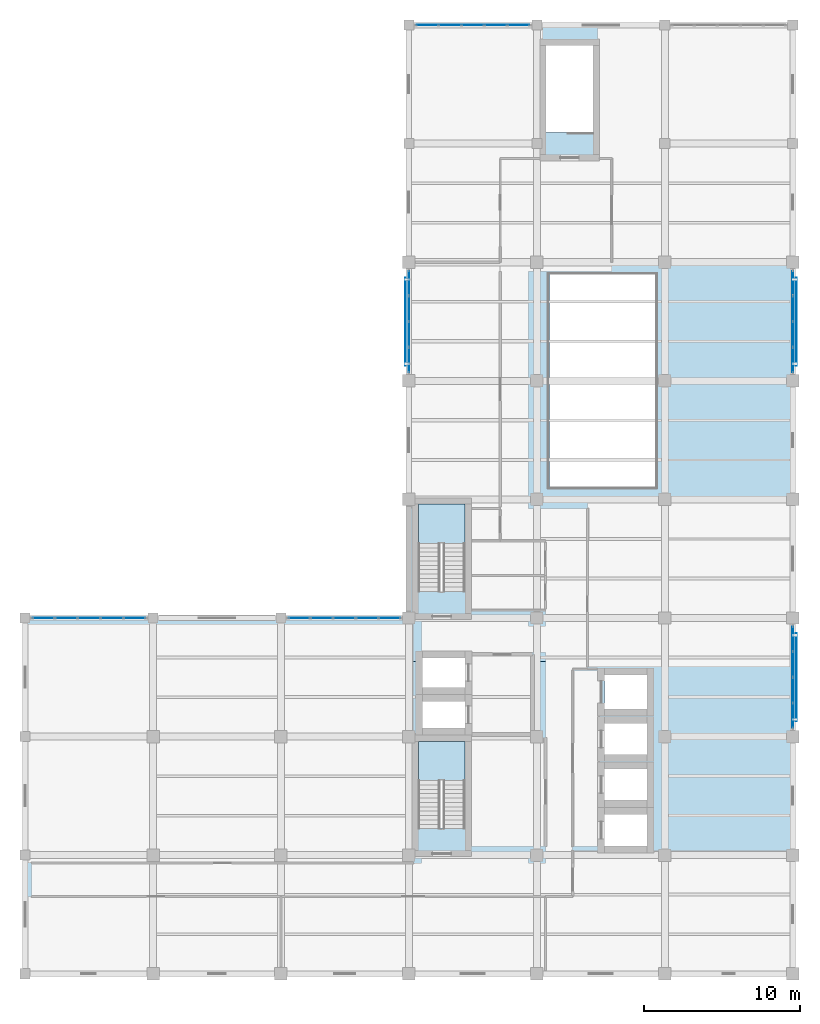
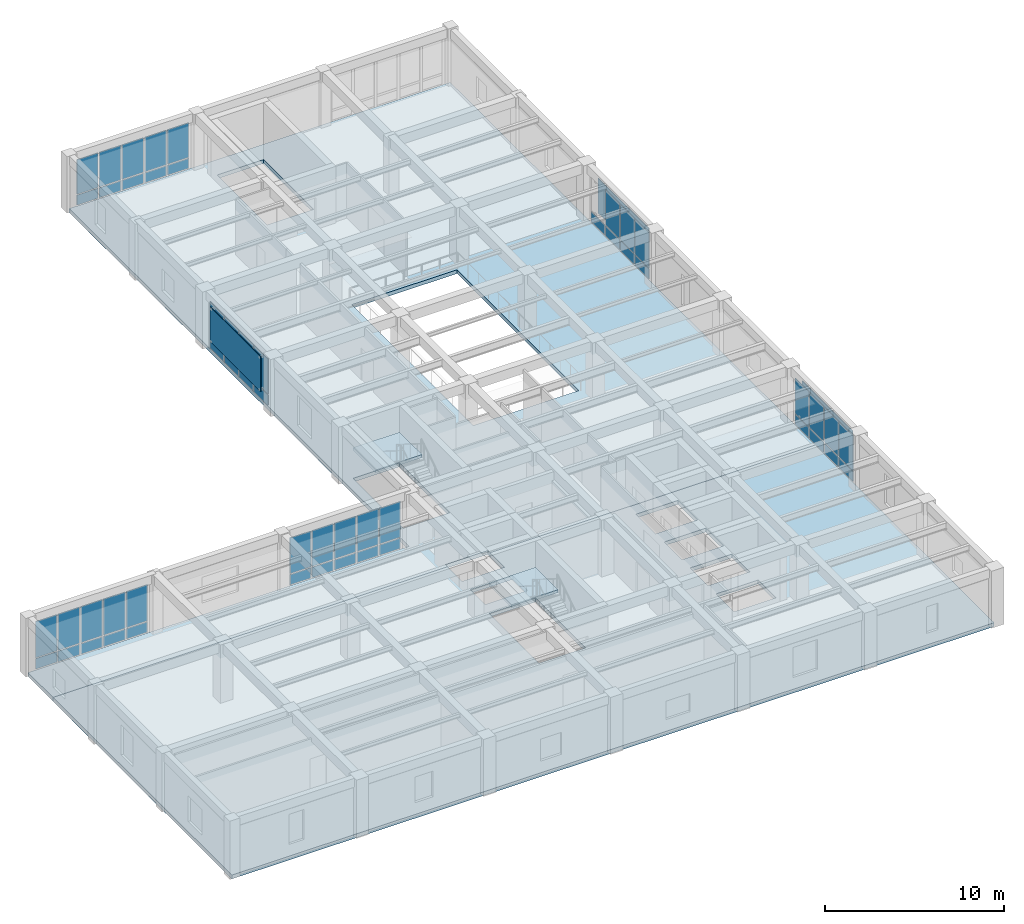
# One storey, part 6 of 15: 56 plates, 4 slabs, 8 elements without a shape of their own.
"""IFC4 building model written with IfcOpenShell, lengths in metres."""

from ifc_helpers import new_model, si_unit, direction, frame, origin, origin_2d, place, context, subcontext, project, spatial, polyline, rectangle, outline, extrude, material, layer, layer_set, type_object, element, aggregate, save


model = new_model("IFC4")

# Units and contexts
model_context = context("Model", 3, precision=1e-05, world=origin(), true_north=direction((0.0, 1.0)))
body_context = subcontext(model_context, "Body", "Model", "MODEL_VIEW")
ifc_project = project(units=[si_unit("LENGTHUNIT", "METRE"), si_unit("AREAUNIT", "SQUARE_METRE"), si_unit("VOLUMEUNIT", "CUBIC_METRE"), si_unit("PLANEANGLEUNIT", "RADIAN"), si_unit("MASSUNIT", "GRAM", prefix="KILO")], contexts=[model_context])

# Site, building, storey
site_placement = place(None, origin())
site = spatial("IfcSite", under=ifc_project, at=site_placement, CompositionType="ELEMENT")
building_placement = place(site_placement, origin())
building = spatial("IfcBuilding", under=site, at=building_placement, Name="Qandaris Square Conservatory and Botanical Centre", CompositionType="ELEMENT")
storey_placement = place(building_placement, frame((0.0, 0.0, 32.39990234375)))
storey = spatial("IfcBuildingStorey", under=building, at=storey_placement, Name="L07", CompositionType="ELEMENT", Elevation=32.39990234375)

# Curtain wall, plates
ifc_material_1 = material(Name="Anodised Aluminium", Category="aluminium")
curtain_wall_type_1 = type_object("IfcCurtainWallType", Name="Unitised Curtain Wall CW-4-660x329", PredefinedType="USERDEFINED", material=ifc_material_1)
curtain_wall_1_placement = place(storey_placement, origin())
curtain_wall_1 = element("IfcCurtainWall", 1, at=curtain_wall_1_placement, inside=storey, type_object=curtain_wall_type_1, Name="Curtain Wall CW-TWR-L07-2-3", ObjectType="GLAZED CURTAIN WALL", PredefinedType="USERDEFINED")
ifc_material_2 = material(Name="Tempered Low-E Glass", Category="glass")
ifc_layer_1 = layer(ifc_material_2, 0.035888671875)
ifc_layer_set_1 = layer_set([ifc_layer_1], Name="Tempered Low-E Glass")
plate_type_1 = type_object("IfcPlateType", Name="Double-Glazed Solar Control Vision Unit 36mm", PredefinedType="CURTAIN_PANEL", material=ifc_layer_set_1)
plate_1_placement = place(storey_placement, frame((163.800048828125, 33.141357421875, 0.06494140625), z_axis=(0.0, 0.0, 1.0), x_axis=(0.0, 1.0, 0.0)))
plate_1 = element("IfcPlate", 2, at=plate_1_placement, type_object=plate_type_1, Name="CW-4-660x329 panel 1.1", PredefinedType="CURTAIN_PANEL", context=body_context, shape_type="SweptSolid", body=[
    extrude(rectangle(XDim=1.552490234375, YDim=0.035888671875, at=origin_2d()), origin(), (0.0, 0.0, 1.0), 0.692138671875),
])
plate_2_placement = place(storey_placement, frame((163.800048828125, 33.141357421875, 0.822265625), z_axis=(0.0, 0.0, 1.0), x_axis=(0.0, 1.0, 0.0)))
plate_2 = element("IfcPlate", 3, at=plate_2_placement, type_object=plate_type_1, Name="CW-4-660x329 panel 1.2", PredefinedType="CURTAIN_PANEL", context=body_context, shape_type="SweptSolid", body=[
    extrude(rectangle(XDim=1.552490234375, YDim=0.035888671875, at=origin_2d()), origin(), (0.0, 0.0, 1.0), 2.40283203125),
])
plate_3_placement = place(storey_placement, frame((163.800048828125, 34.77490234375, 0.06494140625), z_axis=(0.0, 0.0, 1.0), x_axis=(0.0, 1.0, 0.0)))
plate_3 = element("IfcPlate", 4, at=plate_3_placement, type_object=plate_type_1, Name="CW-4-660x329 panel 2.1", PredefinedType="CURTAIN_PANEL", context=body_context, shape_type="SweptSolid", body=[
    extrude(rectangle(XDim=1.5849609375, YDim=0.035888671875, at=origin_2d()), origin(), (0.0, 0.0, 1.0), 0.692138671875),
])
plate_4_placement = place(storey_placement, frame((163.800048828125, 34.77490234375, 0.822265625), z_axis=(0.0, 0.0, 1.0), x_axis=(0.0, 1.0, 0.0)))
plate_4 = element("IfcPlate", 5, at=plate_4_placement, type_object=plate_type_1, Name="CW-4-660x329 panel 2.2", PredefinedType="CURTAIN_PANEL", context=body_context, shape_type="SweptSolid", body=[
    extrude(rectangle(XDim=1.5849609375, YDim=0.035888671875, at=origin_2d()), origin(), (0.0, 0.0, 1.0), 2.40283203125),
])
plate_5_placement = place(storey_placement, frame((163.800048828125, 36.425048828125, 0.06494140625), z_axis=(0.0, 0.0, 1.0), x_axis=(0.0, 1.0, 0.0)))
plate_5 = element("IfcPlate", 6, at=plate_5_placement, type_object=plate_type_1, Name="CW-4-660x329 panel 3.1", PredefinedType="CURTAIN_PANEL", context=body_context, shape_type="SweptSolid", body=[
    extrude(rectangle(XDim=1.5849609375, YDim=0.035888671875, at=origin_2d()), origin(), (0.0, 0.0, 1.0), 0.692138671875),
])
plate_6_placement = place(storey_placement, frame((163.800048828125, 36.425048828125, 0.822265625), z_axis=(0.0, 0.0, 1.0), x_axis=(0.0, 1.0, 0.0)))
plate_6 = element("IfcPlate", 7, at=plate_6_placement, type_object=plate_type_1, Name="CW-4-660x329 panel 3.2", PredefinedType="CURTAIN_PANEL", context=body_context, shape_type="SweptSolid", body=[
    extrude(rectangle(XDim=1.5849609375, YDim=0.035888671875, at=origin_2d()), origin(), (0.0, 0.0, 1.0), 2.40283203125),
])
plate_7_placement = place(storey_placement, frame((163.800048828125, 38.058837890625, 0.06494140625), z_axis=(0.0, 0.0, 1.0), x_axis=(0.0, 1.0, 0.0)))
plate_7 = element("IfcPlate", 8, at=plate_7_placement, type_object=plate_type_1, Name="CW-4-660x329 panel 4.1", PredefinedType="CURTAIN_PANEL", context=body_context, shape_type="SweptSolid", body=[
    extrude(rectangle(XDim=1.552490234375, YDim=0.035888671875, at=origin_2d()), origin(), (0.0, 0.0, 1.0), 0.692138671875),
])
plate_8_placement = place(storey_placement, frame((163.800048828125, 38.058837890625, 0.822265625), z_axis=(0.0, 0.0, 1.0), x_axis=(0.0, 1.0, 0.0)))
plate_8 = element("IfcPlate", 9, at=plate_8_placement, type_object=plate_type_1, Name="CW-4-660x329 panel 4.2", PredefinedType="CURTAIN_PANEL", context=body_context, shape_type="SweptSolid", body=[
    extrude(rectangle(XDim=1.552490234375, YDim=0.035888671875, at=origin_2d()), origin(), (0.0, 0.0, 1.0), 2.40283203125),
])
aggregate(curtain_wall_1, [plate_1, plate_2, plate_3, plate_4, plate_5, plate_6, plate_7, plate_8])

curtain_wall_2_placement = place(storey_placement, origin())
curtain_wall_2 = element("IfcCurtainWall", 10, at=curtain_wall_2_placement, inside=storey, type_object=curtain_wall_type_1, Name="Curtain Wall CW-TWR-L07-2-6", ObjectType="GLAZED CURTAIN WALL", PredefinedType="USERDEFINED")
plate_9_placement = place(storey_placement, frame((163.800048828125, 55.941162109375, 0.06494140625), z_axis=(0.0, 0.0, 1.0), x_axis=(0.0, 1.0, 0.0)))
plate_9 = element("IfcPlate", 11, at=plate_9_placement, type_object=plate_type_1, Name="CW-4-660x329 panel 1.1", PredefinedType="CURTAIN_PANEL", context=body_context, shape_type="SweptSolid", body=[
    extrude(rectangle(XDim=1.552490234375, YDim=0.035888671875, at=origin_2d()), origin(), (0.0, 0.0, 1.0), 0.692138671875),
])
plate_10_placement = place(storey_placement, frame((163.800048828125, 55.941162109375, 0.822265625), z_axis=(0.0, 0.0, 1.0), x_axis=(0.0, 1.0, 0.0)))
plate_10 = element("IfcPlate", 12, at=plate_10_placement, type_object=plate_type_1, Name="CW-4-660x329 panel 1.2", PredefinedType="CURTAIN_PANEL", context=body_context, shape_type="SweptSolid", body=[
    extrude(rectangle(XDim=1.552490234375, YDim=0.035888671875, at=origin_2d()), origin(), (0.0, 0.0, 1.0), 2.40283203125),
])
plate_11_placement = place(storey_placement, frame((163.800048828125, 57.574951171875, 0.06494140625), z_axis=(0.0, 0.0, 1.0), x_axis=(0.0, 1.0, 0.0)))
plate_11 = element("IfcPlate", 13, at=plate_11_placement, type_object=plate_type_1, Name="CW-4-660x329 panel 2.1", PredefinedType="CURTAIN_PANEL", context=body_context, shape_type="SweptSolid", body=[
    extrude(rectangle(XDim=1.5849609375, YDim=0.035888671875, at=origin_2d()), origin(), (0.0, 0.0, 1.0), 0.692138671875),
])
plate_12_placement = place(storey_placement, frame((163.800048828125, 57.574951171875, 0.822265625), z_axis=(0.0, 0.0, 1.0), x_axis=(0.0, 1.0, 0.0)))
plate_12 = element("IfcPlate", 14, at=plate_12_placement, type_object=plate_type_1, Name="CW-4-660x329 panel 2.2", PredefinedType="CURTAIN_PANEL", context=body_context, shape_type="SweptSolid", body=[
    extrude(rectangle(XDim=1.5849609375, YDim=0.035888671875, at=origin_2d()), origin(), (0.0, 0.0, 1.0), 2.40283203125),
])
plate_13_placement = place(storey_placement, frame((163.800048828125, 59.22509765625, 0.06494140625), z_axis=(0.0, 0.0, 1.0), x_axis=(0.0, 1.0, 0.0)))
plate_13 = element("IfcPlate", 15, at=plate_13_placement, type_object=plate_type_1, Name="CW-4-660x329 panel 3.1", PredefinedType="CURTAIN_PANEL", context=body_context, shape_type="SweptSolid", body=[
    extrude(rectangle(XDim=1.5849609375, YDim=0.035888671875, at=origin_2d()), origin(), (0.0, 0.0, 1.0), 0.692138671875),
])
plate_14_placement = place(storey_placement, frame((163.800048828125, 59.22509765625, 0.822265625), z_axis=(0.0, 0.0, 1.0), x_axis=(0.0, 1.0, 0.0)))
plate_14 = element("IfcPlate", 16, at=plate_14_placement, type_object=plate_type_1, Name="CW-4-660x329 panel 3.2", PredefinedType="CURTAIN_PANEL", context=body_context, shape_type="SweptSolid", body=[
    extrude(rectangle(XDim=1.5849609375, YDim=0.035888671875, at=origin_2d()), origin(), (0.0, 0.0, 1.0), 2.40283203125),
])
plate_15_placement = place(storey_placement, frame((163.800048828125, 60.858642578125, 0.06494140625), z_axis=(0.0, 0.0, 1.0), x_axis=(0.0, 1.0, 0.0)))
plate_15 = element("IfcPlate", 17, at=plate_15_placement, type_object=plate_type_1, Name="CW-4-660x329 panel 4.1", PredefinedType="CURTAIN_PANEL", context=body_context, shape_type="SweptSolid", body=[
    extrude(rectangle(XDim=1.552490234375, YDim=0.035888671875, at=origin_2d()), origin(), (0.0, 0.0, 1.0), 0.692138671875),
])
aggregate(curtain_wall_2, [plate_9, plate_10, plate_11, plate_12, plate_13, plate_14, plate_15])

curtain_wall_type_2 = type_object("IfcCurtainWallType", Name="Unitised Curtain Wall CW-3-735x324", PredefinedType="USERDEFINED", material=ifc_material_1)
curtain_wall_3_placement = place(storey_placement, origin())
curtain_wall_3 = element("IfcCurtainWall", 18, at=curtain_wall_3_placement, inside=storey, type_object=curtain_wall_type_2, Name="Curtain Wall CW-TWR-L07-3-3", ObjectType="GLAZED CURTAIN WALL", PredefinedType="USERDEFINED")
plate_16_placement = place(storey_placement, frame((146.2236328125, 77.39990234375, 0.06494140625), z_axis=(0.0, 0.0, 1.0), x_axis=(-1.0, 0.0, 0.0)))
plate_16 = element("IfcPlate", 19, at=plate_16_placement, type_object=plate_type_1, Name="CW-3-735x324 panel 1.1", PredefinedType="CURTAIN_PANEL", context=body_context, shape_type="SweptSolid", body=[
    extrude(rectangle(XDim=1.37255859375, YDim=0.035888671875, at=origin_2d()), origin(), (0.0, 0.0, 1.0), 0.68017578125),
])
plate_17_placement = place(storey_placement, frame((146.2236328125, 77.39990234375, 0.81005859375), z_axis=(0.0, 0.0, 1.0), x_axis=(-1.0, 0.0, 0.0)))
plate_17 = element("IfcPlate", 20, at=plate_17_placement, type_object=plate_type_1, Name="CW-3-735x324 panel 1.2", PredefinedType="CURTAIN_PANEL", context=body_context, shape_type="SweptSolid", body=[
    extrude(rectangle(XDim=1.37255859375, YDim=0.035888671875, at=origin_2d()), origin(), (0.0, 0.0, 1.0), 2.364990234375),
])
plate_18_placement = place(storey_placement, frame((144.77001953125, 77.39990234375, 0.06494140625), z_axis=(0.0, 0.0, 1.0), x_axis=(-1.0, 0.0, 0.0)))
plate_18 = element("IfcPlate", 21, at=plate_18_placement, type_object=plate_type_1, Name="CW-3-735x324 panel 2.1", PredefinedType="CURTAIN_PANEL", context=body_context, shape_type="SweptSolid", body=[
    extrude(rectangle(XDim=1.405029296875, YDim=0.035888671875, at=origin_2d()), origin(), (0.0, 0.0, 1.0), 0.68017578125),
])
plate_19_placement = place(storey_placement, frame((144.77001953125, 77.39990234375, 0.81005859375), z_axis=(0.0, 0.0, 1.0), x_axis=(-1.0, 0.0, 0.0)))
plate_19 = element("IfcPlate", 22, at=plate_19_placement, type_object=plate_type_1, Name="CW-3-735x324 panel 2.2", PredefinedType="CURTAIN_PANEL", context=body_context, shape_type="SweptSolid", body=[
    extrude(rectangle(XDim=1.405029296875, YDim=0.035888671875, at=origin_2d()), origin(), (0.0, 0.0, 1.0), 2.364990234375),
])
plate_20_placement = place(storey_placement, frame((143.300048828125, 77.39990234375, 0.06494140625), z_axis=(0.0, 0.0, 1.0), x_axis=(-1.0, 0.0, 0.0)))
plate_20 = element("IfcPlate", 23, at=plate_20_placement, type_object=plate_type_1, Name="CW-3-735x324 panel 3.1", PredefinedType="CURTAIN_PANEL", context=body_context, shape_type="SweptSolid", body=[
    extrude(rectangle(XDim=1.405029296875, YDim=0.035888671875, at=origin_2d()), origin(), (0.0, 0.0, 1.0), 0.68017578125),
])
plate_21_placement = place(storey_placement, frame((143.300048828125, 77.39990234375, 0.81005859375), z_axis=(0.0, 0.0, 1.0), x_axis=(-1.0, 0.0, 0.0)))
plate_21 = element("IfcPlate", 24, at=plate_21_placement, type_object=plate_type_1, Name="CW-3-735x324 panel 3.2", PredefinedType="CURTAIN_PANEL", context=body_context, shape_type="SweptSolid", body=[
    extrude(rectangle(XDim=1.405029296875, YDim=0.035888671875, at=origin_2d()), origin(), (0.0, 0.0, 1.0), 2.364990234375),
])
plate_22_placement = place(storey_placement, frame((141.830078125, 77.39990234375, 0.06494140625), z_axis=(0.0, 0.0, 1.0), x_axis=(-1.0, 0.0, 0.0)))
plate_22 = element("IfcPlate", 25, at=plate_22_placement, type_object=plate_type_1, Name="CW-3-735x324 panel 4.1", PredefinedType="CURTAIN_PANEL", context=body_context, shape_type="SweptSolid", body=[
    extrude(rectangle(XDim=1.405029296875, YDim=0.035888671875, at=origin_2d()), origin(), (0.0, 0.0, 1.0), 0.68017578125),
])
plate_23_placement = place(storey_placement, frame((141.830078125, 77.39990234375, 0.81005859375), z_axis=(0.0, 0.0, 1.0), x_axis=(-1.0, 0.0, 0.0)))
plate_23 = element("IfcPlate", 26, at=plate_23_placement, type_object=plate_type_1, Name="CW-3-735x324 panel 4.2", PredefinedType="CURTAIN_PANEL", context=body_context, shape_type="SweptSolid", body=[
    extrude(rectangle(XDim=1.405029296875, YDim=0.035888671875, at=origin_2d()), origin(), (0.0, 0.0, 1.0), 2.364990234375),
])
plate_24_placement = place(storey_placement, frame((140.376220703125, 77.39990234375, 0.06494140625), z_axis=(0.0, 0.0, 1.0), x_axis=(-1.0, 0.0, 0.0)))
plate_24 = element("IfcPlate", 27, at=plate_24_placement, type_object=plate_type_1, Name="CW-3-735x324 panel 5.1", PredefinedType="CURTAIN_PANEL", context=body_context, shape_type="SweptSolid", body=[
    extrude(rectangle(XDim=1.37255859375, YDim=0.035888671875, at=origin_2d()), origin(), (0.0, 0.0, 1.0), 0.68017578125),
])
plate_25_placement = place(storey_placement, frame((140.376220703125, 77.39990234375, 0.81005859375), z_axis=(0.0, 0.0, 1.0), x_axis=(-1.0, 0.0, 0.0)))
plate_25 = element("IfcPlate", 28, at=plate_25_placement, type_object=plate_type_1, Name="CW-3-735x324 panel 5.2", PredefinedType="CURTAIN_PANEL", context=body_context, shape_type="SweptSolid", body=[
    extrude(rectangle(XDim=1.37255859375, YDim=0.035888671875, at=origin_2d()), origin(), (0.0, 0.0, 1.0), 2.364990234375),
])
aggregate(curtain_wall_3, [plate_16, plate_17, plate_18, plate_19, plate_20, plate_21, plate_22, plate_23, plate_24, plate_25])

curtain_wall_4_placement = place(storey_placement, origin())
curtain_wall_4 = element("IfcCurtainWall", 29, at=curtain_wall_4_placement, inside=storey, type_object=curtain_wall_type_1, Name="Curtain Wall CW-TWR-L07-4-3", ObjectType="GLAZED CURTAIN WALL", PredefinedType="USERDEFINED")
plate_26_placement = place(storey_placement, frame((139.199951171875, 60.858642578125, 0.06494140625), z_axis=(0.0, 0.0, 1.0), x_axis=(0.0, -1.0, 0.0)))
plate_26 = element("IfcPlate", 30, at=plate_26_placement, type_object=plate_type_1, Name="CW-4-660x329 panel 1.1", PredefinedType="CURTAIN_PANEL", context=body_context, shape_type="SweptSolid", body=[
    extrude(rectangle(XDim=1.552490234375, YDim=0.035888671875, at=origin_2d()), origin(), (0.0, 0.0, 1.0), 0.692138671875),
])
plate_27_placement = place(storey_placement, frame((139.199951171875, 60.858642578125, 0.822265625), z_axis=(0.0, 0.0, 1.0), x_axis=(0.0, -1.0, 0.0)))
plate_27 = element("IfcPlate", 31, at=plate_27_placement, type_object=plate_type_1, Name="CW-4-660x329 panel 1.2", PredefinedType="CURTAIN_PANEL", context=body_context, shape_type="SweptSolid", body=[
    extrude(rectangle(XDim=1.552490234375, YDim=0.035888671875, at=origin_2d()), origin(), (0.0, 0.0, 1.0), 2.40283203125),
])
plate_28_placement = place(storey_placement, frame((139.199951171875, 59.22509765625, 0.06494140625), z_axis=(0.0, 0.0, 1.0), x_axis=(0.0, -1.0, 0.0)))
plate_28 = element("IfcPlate", 32, at=plate_28_placement, type_object=plate_type_1, Name="CW-4-660x329 panel 2.1", PredefinedType="CURTAIN_PANEL", context=body_context, shape_type="SweptSolid", body=[
    extrude(rectangle(XDim=1.5849609375, YDim=0.035888671875, at=origin_2d()), origin(), (0.0, 0.0, 1.0), 0.692138671875),
])
plate_29_placement = place(storey_placement, frame((139.199951171875, 59.22509765625, 0.822265625), z_axis=(0.0, 0.0, 1.0), x_axis=(0.0, -1.0, 0.0)))
plate_29 = element("IfcPlate", 33, at=plate_29_placement, type_object=plate_type_1, Name="CW-4-660x329 panel 2.2", PredefinedType="CURTAIN_PANEL", context=body_context, shape_type="SweptSolid", body=[
    extrude(rectangle(XDim=1.5849609375, YDim=0.035888671875, at=origin_2d()), origin(), (0.0, 0.0, 1.0), 2.40283203125),
])
plate_30_placement = place(storey_placement, frame((139.199951171875, 57.574951171875, 0.06494140625), z_axis=(0.0, 0.0, 1.0), x_axis=(0.0, -1.0, 0.0)))
plate_30 = element("IfcPlate", 34, at=plate_30_placement, type_object=plate_type_1, Name="CW-4-660x329 panel 3.1", PredefinedType="CURTAIN_PANEL", context=body_context, shape_type="SweptSolid", body=[
    extrude(rectangle(XDim=1.5849609375, YDim=0.035888671875, at=origin_2d()), origin(), (0.0, 0.0, 1.0), 0.692138671875),
])
plate_31_placement = place(storey_placement, frame((139.199951171875, 57.574951171875, 0.822265625), z_axis=(0.0, 0.0, 1.0), x_axis=(0.0, -1.0, 0.0)))
plate_31 = element("IfcPlate", 35, at=plate_31_placement, type_object=plate_type_1, Name="CW-4-660x329 panel 3.2", PredefinedType="CURTAIN_PANEL", context=body_context, shape_type="SweptSolid", body=[
    extrude(rectangle(XDim=1.5849609375, YDim=0.035888671875, at=origin_2d()), origin(), (0.0, 0.0, 1.0), 2.40283203125),
])
plate_32_placement = place(storey_placement, frame((139.199951171875, 55.941162109375, 0.06494140625), z_axis=(0.0, 0.0, 1.0), x_axis=(0.0, -1.0, 0.0)))
plate_32 = element("IfcPlate", 36, at=plate_32_placement, type_object=plate_type_1, Name="CW-4-660x329 panel 4.1", PredefinedType="CURTAIN_PANEL", context=body_context, shape_type="SweptSolid", body=[
    extrude(rectangle(XDim=1.552490234375, YDim=0.035888671875, at=origin_2d()), origin(), (0.0, 0.0, 1.0), 0.692138671875),
])
plate_33_placement = place(storey_placement, frame((139.199951171875, 55.941162109375, 0.822265625), z_axis=(0.0, 0.0, 1.0), x_axis=(0.0, -1.0, 0.0)))
plate_33 = element("IfcPlate", 37, at=plate_33_placement, type_object=plate_type_1, Name="CW-4-660x329 panel 4.2", PredefinedType="CURTAIN_PANEL", context=body_context, shape_type="SweptSolid", body=[
    extrude(rectangle(XDim=1.552490234375, YDim=0.035888671875, at=origin_2d()), origin(), (0.0, 0.0, 1.0), 2.40283203125),
])
aggregate(curtain_wall_4, [plate_26, plate_27, plate_28, plate_29, plate_30, plate_31, plate_32, plate_33])

curtain_wall_type_3 = type_object("IfcCurtainWallType", Name="Unitised Curtain Wall CW-4-727x334", PredefinedType="USERDEFINED", material=ifc_material_1)
curtain_wall_5_placement = place(storey_placement, origin())
curtain_wall_5 = element("IfcCurtainWall", 38, at=curtain_wall_5_placement, inside=storey, type_object=curtain_wall_type_3, Name="Curtain Wall CW-TWR-L07-5-1", ObjectType="GLAZED CURTAIN WALL", PredefinedType="USERDEFINED")
plate_34_placement = place(storey_placement, frame((137.956298828125, 39.39990234375, 0.06494140625), z_axis=(0.0, 0.0, 1.0), x_axis=(-1.0, 0.0, 0.0)))
plate_34 = element("IfcPlate", 39, at=plate_34_placement, type_object=plate_type_1, Name="CW-4-727x334 panel 1.1", PredefinedType="CURTAIN_PANEL", context=body_context, shape_type="SweptSolid", body=[
    extrude(rectangle(XDim=1.357421875, YDim=0.035888671875, at=origin_2d()), origin(), (0.0, 0.0, 1.0), 0.705322265625),
])
plate_35_placement = place(storey_placement, frame((137.956298828125, 39.39990234375, 0.83544921875), z_axis=(0.0, 0.0, 1.0), x_axis=(-1.0, 0.0, 0.0)))
plate_35 = element("IfcPlate", 40, at=plate_35_placement, type_object=plate_type_1, Name="CW-4-727x334 panel 1.2", PredefinedType="CURTAIN_PANEL", context=body_context, shape_type="SweptSolid", body=[
    extrude(rectangle(XDim=1.357421875, YDim=0.035888671875, at=origin_2d()), origin(), (0.0, 0.0, 1.0), 2.444580078125),
])
plate_36_placement = place(storey_placement, frame((136.517578125, 39.39990234375, 0.06494140625), z_axis=(0.0, 0.0, 1.0), x_axis=(-1.0, 0.0, 0.0)))
plate_36 = element("IfcPlate", 41, at=plate_36_placement, type_object=plate_type_1, Name="CW-4-727x334 panel 2.1", PredefinedType="CURTAIN_PANEL", context=body_context, shape_type="SweptSolid", body=[
    extrude(rectangle(XDim=1.389892578125, YDim=0.035888671875, at=origin_2d()), origin(), (0.0, 0.0, 1.0), 0.705322265625),
])
plate_37_placement = place(storey_placement, frame((136.517578125, 39.39990234375, 0.83544921875), z_axis=(0.0, 0.0, 1.0), x_axis=(-1.0, 0.0, 0.0)))
plate_37 = element("IfcPlate", 42, at=plate_37_placement, type_object=plate_type_1, Name="CW-4-727x334 panel 2.2", PredefinedType="CURTAIN_PANEL", context=body_context, shape_type="SweptSolid", body=[
    extrude(rectangle(XDim=1.389892578125, YDim=0.035888671875, at=origin_2d()), origin(), (0.0, 0.0, 1.0), 2.444580078125),
])
plate_38_placement = place(storey_placement, frame((135.0625, 39.39990234375, 0.06494140625), z_axis=(0.0, 0.0, 1.0), x_axis=(-1.0, 0.0, 0.0)))
plate_38 = element("IfcPlate", 43, at=plate_38_placement, type_object=plate_type_1, Name="CW-4-727x334 panel 3.1", PredefinedType="CURTAIN_PANEL", context=body_context, shape_type="SweptSolid", body=[
    extrude(rectangle(XDim=1.389892578125, YDim=0.035888671875, at=origin_2d()), origin(), (0.0, 0.0, 1.0), 0.705322265625),
])
plate_39_placement = place(storey_placement, frame((135.0625, 39.39990234375, 0.83544921875), z_axis=(0.0, 0.0, 1.0), x_axis=(-1.0, 0.0, 0.0)))
plate_39 = element("IfcPlate", 44, at=plate_39_placement, type_object=plate_type_1, Name="CW-4-727x334 panel 3.2", PredefinedType="CURTAIN_PANEL", context=body_context, shape_type="SweptSolid", body=[
    extrude(rectangle(XDim=1.389892578125, YDim=0.035888671875, at=origin_2d()), origin(), (0.0, 0.0, 1.0), 2.444580078125),
])
plate_40_placement = place(storey_placement, frame((133.607421875, 39.39990234375, 0.06494140625), z_axis=(0.0, 0.0, 1.0), x_axis=(-1.0, 0.0, 0.0)))
plate_40 = element("IfcPlate", 45, at=plate_40_placement, type_object=plate_type_1, Name="CW-4-727x334 panel 4.1", PredefinedType="CURTAIN_PANEL", context=body_context, shape_type="SweptSolid", body=[
    extrude(rectangle(XDim=1.389892578125, YDim=0.035888671875, at=origin_2d()), origin(), (0.0, 0.0, 1.0), 0.705322265625),
])
plate_41_placement = place(storey_placement, frame((133.607421875, 39.39990234375, 0.83544921875), z_axis=(0.0, 0.0, 1.0), x_axis=(-1.0, 0.0, 0.0)))
plate_41 = element("IfcPlate", 46, at=plate_41_placement, type_object=plate_type_1, Name="CW-4-727x334 panel 4.2", PredefinedType="CURTAIN_PANEL", context=body_context, shape_type="SweptSolid", body=[
    extrude(rectangle(XDim=1.389892578125, YDim=0.035888671875, at=origin_2d()), origin(), (0.0, 0.0, 1.0), 2.444580078125),
])
plate_42_placement = place(storey_placement, frame((132.168701171875, 39.39990234375, 0.06494140625), z_axis=(0.0, 0.0, 1.0), x_axis=(-1.0, 0.0, 0.0)))
plate_42 = element("IfcPlate", 47, at=plate_42_placement, type_object=plate_type_1, Name="CW-4-727x334 panel 5.1", PredefinedType="CURTAIN_PANEL", context=body_context, shape_type="SweptSolid", body=[
    extrude(rectangle(XDim=1.357421875, YDim=0.035888671875, at=origin_2d()), origin(), (0.0, 0.0, 1.0), 0.705322265625),
])
plate_43_placement = place(storey_placement, frame((132.168701171875, 39.39990234375, 0.83544921875), z_axis=(0.0, 0.0, 1.0), x_axis=(-1.0, 0.0, 0.0)))
plate_43 = element("IfcPlate", 48, at=plate_43_placement, type_object=plate_type_1, Name="CW-4-727x334 panel 5.2", PredefinedType="CURTAIN_PANEL", context=body_context, shape_type="SweptSolid", body=[
    extrude(rectangle(XDim=1.357421875, YDim=0.035888671875, at=origin_2d()), origin(), (0.0, 0.0, 1.0), 2.444580078125),
])
aggregate(curtain_wall_5, [plate_34, plate_35, plate_36, plate_37, plate_38, plate_39, plate_40, plate_41, plate_42, plate_43])

curtain_wall_type_4 = type_object("IfcCurtainWallType", Name="Unitised Curtain Wall CW-4-735x338", PredefinedType="USERDEFINED", material=ifc_material_1)
curtain_wall_6_placement = place(storey_placement, origin())
curtain_wall_6 = element("IfcCurtainWall", 49, at=curtain_wall_6_placement, inside=storey, type_object=curtain_wall_type_4, Name="Curtain Wall CW-TWR-L07-5-3", ObjectType="GLAZED CURTAIN WALL", PredefinedType="USERDEFINED")
plate_44_placement = place(storey_placement, frame((121.623779296875, 39.39990234375, 0.065185546875), z_axis=(0.0, 0.0, 1.0), x_axis=(-1.0, 0.0, 0.0)))
plate_44 = element("IfcPlate", 50, at=plate_44_placement, type_object=plate_type_1, Name="CW-4-735x338 panel 1.1", PredefinedType="CURTAIN_PANEL", context=body_context, shape_type="SweptSolid", body=[
    extrude(rectangle(XDim=1.37255859375, YDim=0.035888671875, at=origin_2d()), origin(), (0.0, 0.0, 1.0), 0.71484375),
])
plate_45_placement = place(storey_placement, frame((121.623779296875, 39.39990234375, 0.844970703125), z_axis=(0.0, 0.0, 1.0), x_axis=(-1.0, 0.0, 0.0)))
plate_45 = element("IfcPlate", 51, at=plate_45_placement, type_object=plate_type_1, Name="CW-4-735x338 panel 1.2", PredefinedType="CURTAIN_PANEL", context=body_context, shape_type="SweptSolid", body=[
    extrude(rectangle(XDim=1.37255859375, YDim=0.035888671875, at=origin_2d()), origin(), (0.0, 0.0, 1.0), 2.47509765625),
])
plate_46_placement = place(storey_placement, frame((120.169921875, 39.39990234375, 0.065185546875), z_axis=(0.0, 0.0, 1.0), x_axis=(-1.0, 0.0, 0.0)))
plate_46 = element("IfcPlate", 52, at=plate_46_placement, type_object=plate_type_1, Name="CW-4-735x338 panel 2.1", PredefinedType="CURTAIN_PANEL", context=body_context, shape_type="SweptSolid", body=[
    extrude(rectangle(XDim=1.405029296875, YDim=0.035888671875, at=origin_2d()), origin(), (0.0, 0.0, 1.0), 0.71484375),
])
plate_47_placement = place(storey_placement, frame((120.169921875, 39.39990234375, 0.844970703125), z_axis=(0.0, 0.0, 1.0), x_axis=(-1.0, 0.0, 0.0)))
plate_47 = element("IfcPlate", 53, at=plate_47_placement, type_object=plate_type_1, Name="CW-4-735x338 panel 2.2", PredefinedType="CURTAIN_PANEL", context=body_context, shape_type="SweptSolid", body=[
    extrude(rectangle(XDim=1.405029296875, YDim=0.035888671875, at=origin_2d()), origin(), (0.0, 0.0, 1.0), 2.47509765625),
])
plate_48_placement = place(storey_placement, frame((118.699951171875, 39.39990234375, 0.065185546875), z_axis=(0.0, 0.0, 1.0), x_axis=(-1.0, 0.0, 0.0)))
plate_48 = element("IfcPlate", 54, at=plate_48_placement, type_object=plate_type_1, Name="CW-4-735x338 panel 3.1", PredefinedType="CURTAIN_PANEL", context=body_context, shape_type="SweptSolid", body=[
    extrude(rectangle(XDim=1.405029296875, YDim=0.035888671875, at=origin_2d()), origin(), (0.0, 0.0, 1.0), 0.71484375),
])
plate_49_placement = place(storey_placement, frame((118.699951171875, 39.39990234375, 0.844970703125), z_axis=(0.0, 0.0, 1.0), x_axis=(-1.0, 0.0, 0.0)))
plate_49 = element("IfcPlate", 55, at=plate_49_placement, type_object=plate_type_1, Name="CW-4-735x338 panel 3.2", PredefinedType="CURTAIN_PANEL", context=body_context, shape_type="SweptSolid", body=[
    extrude(rectangle(XDim=1.405029296875, YDim=0.035888671875, at=origin_2d()), origin(), (0.0, 0.0, 1.0), 2.47509765625),
])
plate_50_placement = place(storey_placement, frame((117.22998046875, 39.39990234375, 0.065185546875), z_axis=(0.0, 0.0, 1.0), x_axis=(-1.0, 0.0, 0.0)))
plate_50 = element("IfcPlate", 56, at=plate_50_placement, type_object=plate_type_1, Name="CW-4-735x338 panel 4.1", PredefinedType="CURTAIN_PANEL", context=body_context, shape_type="SweptSolid", body=[
    extrude(rectangle(XDim=1.405029296875, YDim=0.035888671875, at=origin_2d()), origin(), (0.0, 0.0, 1.0), 0.71484375),
])
plate_51_placement = place(storey_placement, frame((117.22998046875, 39.39990234375, 0.844970703125), z_axis=(0.0, 0.0, 1.0), x_axis=(-1.0, 0.0, 0.0)))
plate_51 = element("IfcPlate", 57, at=plate_51_placement, type_object=plate_type_1, Name="CW-4-735x338 panel 4.2", PredefinedType="CURTAIN_PANEL", context=body_context, shape_type="SweptSolid", body=[
    extrude(rectangle(XDim=1.405029296875, YDim=0.035888671875, at=origin_2d()), origin(), (0.0, 0.0, 1.0), 2.47509765625),
])
plate_52_placement = place(storey_placement, frame((115.7763671875, 39.39990234375, 0.065185546875), z_axis=(0.0, 0.0, 1.0), x_axis=(-1.0, 0.0, 0.0)))
plate_52 = element("IfcPlate", 58, at=plate_52_placement, type_object=plate_type_1, Name="CW-4-735x338 panel 5.1", PredefinedType="CURTAIN_PANEL", context=body_context, shape_type="SweptSolid", body=[
    extrude(rectangle(XDim=1.37255859375, YDim=0.035888671875, at=origin_2d()), origin(), (0.0, 0.0, 1.0), 0.71484375),
])
plate_53_placement = place(storey_placement, frame((115.7763671875, 39.39990234375, 0.844970703125), z_axis=(0.0, 0.0, 1.0), x_axis=(-1.0, 0.0, 0.0)))
plate_53 = element("IfcPlate", 59, at=plate_53_placement, type_object=plate_type_1, Name="CW-4-735x338 panel 5.2", PredefinedType="CURTAIN_PANEL", context=body_context, shape_type="SweptSolid", body=[
    extrude(rectangle(XDim=1.37255859375, YDim=0.035888671875, at=origin_2d()), origin(), (0.0, 0.0, 1.0), 2.47509765625),
])
aggregate(curtain_wall_6, [plate_44, plate_45, plate_46, plate_47, plate_48, plate_49, plate_50, plate_51, plate_52, plate_53])

# Plates
ifc_material_3 = material(Name="Weathering Bronze Alloy", Category="metal")
ifc_layer_2 = layer(ifc_material_3, 0.044921875)
ifc_layer_set_2 = layer_set([ifc_layer_2], Name="Weathering Bronze Alloy")
plate_type_2 = type_object("IfcPlateType", Name="Perforated Bronze Mashrabiya Solar Screen Panel", PredefinedType="USERDEFINED", material=ifc_layer_set_2)
for number, where, z_axis, x_axis, name in (
    (60, (164.02001953125, 35.60009765625, 0.81982421875), (0.0, 0.0, 1.0), (0.0, 1.0, 0.0), "Mashrabiya Solar Screen CW-TWR-L07-2-3"),
    (61, (164.02001953125, 58.39990234375, 0.81982421875), (0.0, 0.0, 1.0), (0.0, 1.0, 0.0), "Mashrabiya Solar Screen CW-TWR-L07-2-6"),
    (62, (138.97998046875, 58.39990234375, 0.81982421875), (0.0, 0.0, 1.0), (0.0, -1.0, 0.0), "Mashrabiya Solar Screen CW-TWR-L07-4-3"),
):
    element("IfcPlate", number, at=place(storey_placement, frame(where, z_axis=z_axis, x_axis=x_axis)), inside=storey, type_object=plate_type_2, Name=name, ObjectType="SOLAR SCREEN", PredefinedType="USERDEFINED", context=body_context, shape_type="SweptSolid", body=[
        extrude(rectangle(XDim=5.639892578125, YDim=0.044921875, at=origin_2d()), origin(), (0.0, 0.0, 1.0), 2.38037109375),
    ])

# Stair, slab
ifc_material_4 = material(Name="Concrete C40/50", Category="concrete")
stair_type = type_object("IfcStairType", Name="Core Escape Scissor Stair", PredefinedType="HALF_TURN_STAIR", material=ifc_material_4)
stair_1_placement = place(storey_placement, origin())
stair_1 = element("IfcStair", 63, at=stair_1_placement, inside=storey, type_object=stair_type, Name="L07 Tower South Exit Stair ST-1", PredefinedType="HALF_TURN_STAIR")
ifc_layer_3 = layer(ifc_material_4, 0.219970703125)
ifc_layer_set_3 = layer_set([ifc_layer_3], Name="Concrete C40/50")
slab_type_1 = type_object("IfcSlabType", Name="RC Stair Half-Landing Slab 220mm", PredefinedType="LANDING", material=ifc_layer_set_3)
slab_1_placement = place(storey_placement, frame((0.0, 0.0, 1.900146484375)))
slab_1 = element("IfcSlab", 64, at=slab_1_placement, type_object=slab_type_1, Name="ST-1 landing 1", PredefinedType="LANDING", context=body_context, shape_type="SweptSolid", body=[
    extrude(outline(polyline([(142.800048828125, 28.97998046875), (142.800048828125, 31.5), (139.800048828125, 31.5), (139.800048828125, 28.97998046875), (142.800048828125, 28.97998046875)])), origin(), (0.0, 0.0, 1.0), 0.199951171875),
])
aggregate(stair_1, [slab_1])

stair_2_placement = place(storey_placement, origin())
stair_2 = element("IfcStair", 65, at=stair_2_placement, inside=storey, type_object=stair_type, Name="L07 Tower North Exit Stair ST-2", PredefinedType="HALF_TURN_STAIR")
slab_2_placement = place(storey_placement, frame((0.0, 0.0, 1.900146484375)))
slab_2 = element("IfcSlab", 66, at=slab_2_placement, type_object=slab_type_1, Name="ST-2 landing 1", PredefinedType="LANDING", context=body_context, shape_type="SweptSolid", body=[
    extrude(outline(polyline([(142.800048828125, 44.179931640625), (142.800048828125, 46.699951171875), (139.800048828125, 46.699951171875), (139.800048828125, 44.179931640625), (142.800048828125, 44.179931640625)])), origin(), (0.0, 0.0, 1.0), 0.199951171875),
])
aggregate(stair_2, [slab_2])

# Slabs
ifc_layer_4 = layer(ifc_material_4, 0.260009765625)
ifc_layer_set_4 = layer_set([ifc_layer_4], Name="Concrete C40/50")
slab_type_2 = type_object("IfcSlabType", Name="RC Structural Slab 260mm", PredefinedType="FLOOR", material=ifc_layer_set_4)
slab_3_placement = place(storey_placement, frame((0.0, 0.0, -0.260009765625)))
element("IfcSlab", 67, at=slab_3_placement, inside=storey, type_object=slab_type_2, Name="L07 Structural Slab V4L07", PredefinedType="FLOOR", context=body_context, shape_type="SweptSolid", body=[
    extrude(outline(polyline([(163.800048828125, 16.60009765625), (114.60009765625, 16.60009765625), (114.60009765625, 36.60009765625), (140.06005859375, 36.60009765625), (140.06005859375, 34.9599609375), (142.800048828125, 34.9599609375), (142.800048828125, 36.60009765625), (163.800048828125, 36.60009765625), (163.800048828125, 16.60009765625)]), holes=[polyline([(151.75, 24.800048828125), (154.449951171875, 24.800048828125), (154.449951171875, 26.800048828125), (151.75, 26.800048828125), (151.75, 24.800048828125)]), polyline([(139.800048828125, 25.89990234375), (142.800048828125, 25.89990234375), (142.800048828125, 31.5), (139.800048828125, 31.5), (139.800048828125, 25.89990234375)]), polyline([(151.75, 27.719970703125), (154.449951171875, 27.719970703125), (154.449951171875, 29.719970703125), (151.75, 29.719970703125), (151.75, 27.719970703125)]), polyline([(151.75, 30.639892578125), (154.449951171875, 30.639892578125), (154.449951171875, 32.639892578125), (151.75, 32.639892578125), (151.75, 30.639892578125)]), polyline([(140.06005859375, 32.360107421875), (142.800048828125, 32.360107421875), (142.800048828125, 34.0400390625), (140.06005859375, 34.0400390625), (140.06005859375, 32.360107421875)]), polyline([(151.75, 33.56005859375), (154.449951171875, 33.56005859375), (154.449951171875, 35.760009765625), (151.75, 35.760009765625), (151.75, 33.56005859375)])]), origin(), (0.0, 0.0, 1.0), 0.260009765625),
])
slab_4_placement = place(storey_placement, frame((0.0, 0.0, -0.260009765625)))
element("IfcSlab", 68, at=slab_4_placement, inside=storey, type_object=slab_type_2, Name="L07 Structural Slab V4L07", PredefinedType="FLOOR", context=body_context, shape_type="SweptSolid", body=[
    extrude(outline(polyline([(139.199951171875, 77.39990234375), (163.800048828125, 77.39990234375), (163.800048828125, 36.60009765625), (142.800048828125, 36.60009765625), (142.800048828125, 36.840087890625), (140.06005859375, 36.840087890625), (140.06005859375, 36.60009765625), (114.60009765625, 36.60009765625), (114.60009765625, 39.39990234375), (139.199951171875, 39.39990234375), (139.199951171875, 77.39990234375)]), holes=[polyline([(148.199951171875, 47.800048828125), (155.0, 47.800048828125), (155.0, 61.39990234375), (148.199951171875, 61.39990234375), (148.199951171875, 47.800048828125)]), polyline([(139.800048828125, 46.699951171875), (139.800048828125, 41.10009765625), (142.800048828125, 41.10009765625), (142.800048828125, 46.699951171875), (139.800048828125, 46.699951171875)]), polyline([(148.0, 76.10009765625), (148.0, 70.5), (151.0, 70.5), (151.0, 76.10009765625), (148.0, 76.10009765625)])]), origin(), (0.0, 0.0, 1.0), 0.260009765625),
])

save(model, "model.ifc")
